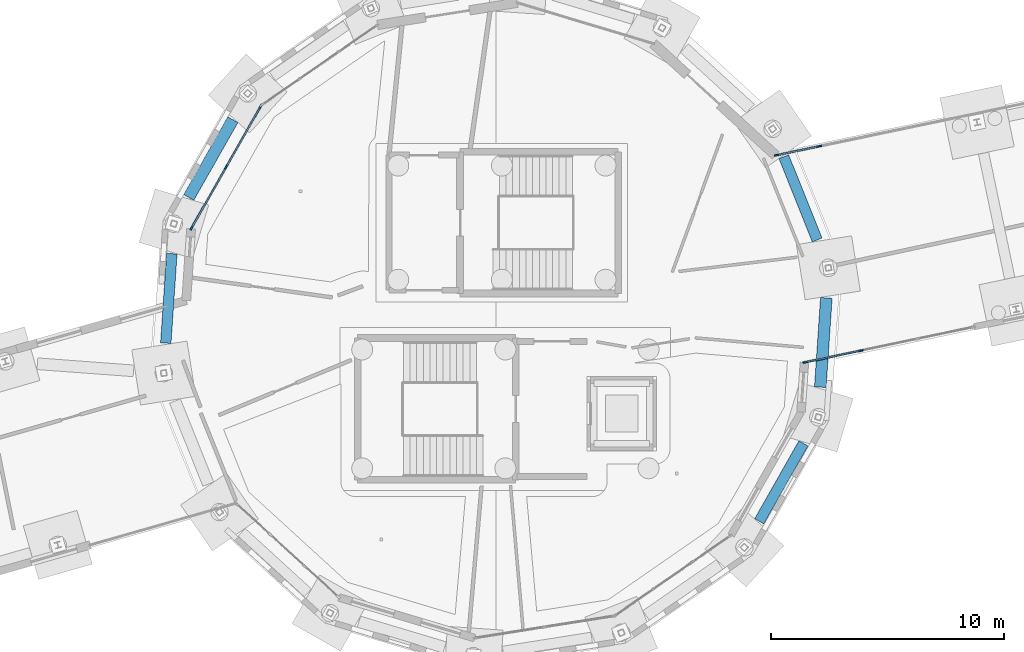
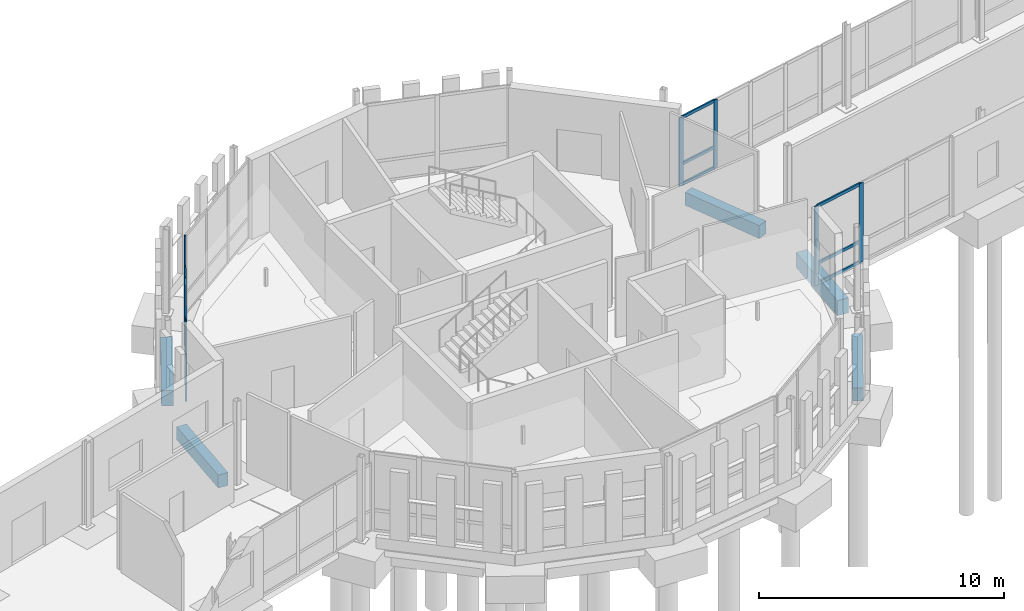
# One storey, part 47 of 113: 19 members, 5 beams, 3 elements without a shape of their own.
"""IFC4 building model written with IfcOpenShell, lengths in metres."""

from ifc_helpers import new_model, si_unit, direction, frame, origin, origin_2d, place, context, subcontext, project, spatial, rectangle, extrude, material, material_profile, profile_set, type_object, element, aggregate, save


model = new_model("IFC4")

# Units and contexts
model_context = context("Model", 3, precision=1e-05, world=origin(), true_north=direction((0.0, 1.0)))
body_context = subcontext(model_context, "Body", "Model", "MODEL_VIEW")
ifc_project = project(units=[si_unit("LENGTHUNIT", "METRE"), si_unit("AREAUNIT", "SQUARE_METRE"), si_unit("VOLUMEUNIT", "CUBIC_METRE"), si_unit("PLANEANGLEUNIT", "RADIAN"), si_unit("MASSUNIT", "GRAM", prefix="KILO")], contexts=[model_context])

# Site, building, storey
site_placement = place(None, origin())
site = spatial("IfcSite", under=ifc_project, at=site_placement, CompositionType="ELEMENT")
building_placement = place(site_placement, origin())
building = spatial("IfcBuilding", under=site, at=building_placement, Name="Wrenclough Park School", CompositionType="ELEMENT")
storey_placement = place(building_placement, origin())
storey = spatial("IfcBuildingStorey", under=building, at=storey_placement, Name="L00", CompositionType="ELEMENT", Elevation=0.0)

# Curtain wall, members
ifc_material_1 = material(Name="Thermally broken aluminium and low-e glass curtain wall", Category="aluminium")
curtain_wall_type_1 = type_object("IfcCurtainWallType", Name="ENV-CW-12", PredefinedType="USERDEFINED", material=ifc_material_1)
curtain_wall_1_placement = place(storey_placement, origin())
curtain_wall_1 = element("IfcCurtainWall", 1, at=curtain_wall_1_placement, inside=storey, type_object=curtain_wall_type_1, Name="L00 recessed curtain wall assembly 011", ObjectType="CURTAIN WALL", PredefinedType="USERDEFINED")
ifc_material_2 = material(Name="Thermally broken anodised aluminium", Category="aluminium")
ifc_material_profile_1 = material_profile(ifc_material_2, rectangle(XDim=0.070068359375, YDim=0.199951171875, at=origin_2d()), Name="AL MULLION 70x200")
ifc_profile_set_1 = profile_set([ifc_material_profile_1], Name="Thermally broken anodised aluminium")
member_type_1 = type_object("IfcMemberType", Name="ENV-CWM-3", PredefinedType="MULLION", material=ifc_profile_set_1)
member_1_placement = place(storey_placement, frame((69.920166015625, 112.46728515625, 0.0), z_axis=(0.0, 0.0, 1.0), x_axis=(-0.869745456163, 0.493500599274, 0.0)))
member_1 = element("IfcMember", 2, at=member_1_placement, type_object=member_type_1, Name="CW-12 mullion 1", PredefinedType="MULLION", context=body_context, shape_type="SweptSolid", body=[
    extrude(rectangle(XDim=0.070068359375, YDim=0.199951171875, at=origin_2d()), origin(), (0.0, 0.0, 1.0), 3.93994140625),
])
member_2_placement = place(storey_placement, frame((71.40283203125, 115.08056640625, 0.0), z_axis=(0.0, 0.0, 1.0), x_axis=(-0.869745456163, 0.493500599274, 0.0)))
member_2 = element("IfcMember", 3, at=member_2_placement, type_object=member_type_1, Name="CW-12 mullion 2", PredefinedType="MULLION", context=body_context, shape_type="SweptSolid", body=[
    extrude(rectangle(XDim=0.070068359375, YDim=0.199951171875, at=origin_2d()), origin(), (0.0, 0.0, 1.0), 3.93994140625),
])
member_3_placement = place(storey_placement, frame((72.8857421875, 117.693603515625, 0.0), z_axis=(0.0, 0.0, 1.0), x_axis=(-0.869745456163, 0.493500599274, 0.0)))
member_3 = element("IfcMember", 4, at=member_3_placement, type_object=member_type_1, Name="CW-12 mullion 3", PredefinedType="MULLION", context=body_context, shape_type="SweptSolid", body=[
    extrude(rectangle(XDim=0.070068359375, YDim=0.199951171875, at=origin_2d()), origin(), (0.0, 0.0, 1.0), 3.93994140625),
])

curtain_wall_type_2 = type_object("IfcCurtainWallType", Name="ENV-CW-15", PredefinedType="USERDEFINED", material=ifc_material_1)
curtain_wall_2_placement = place(storey_placement, origin())
curtain_wall_2 = element("IfcCurtainWall", 5, at=curtain_wall_2_placement, inside=storey, type_object=curtain_wall_type_2, Name="L00 recessed curtain wall assembly 014", ObjectType="CURTAIN WALL", PredefinedType="USERDEFINED")
member_4_placement = place(storey_placement, frame((95.044921875, 115.59814453125, 0.0), z_axis=(0.0, 0.0, 1.0), x_axis=(-0.204871023923, 0.978788978052, 0.0)))
member_4 = element("IfcMember", 6, at=member_4_placement, type_object=member_type_1, Name="CW-15 mullion 1", PredefinedType="MULLION", context=body_context, shape_type="SweptSolid", body=[
    extrude(rectangle(XDim=0.070068359375, YDim=0.199951171875, at=origin_2d()), origin(), (0.0, 0.0, 1.0), 3.39892578125),
])
member_5_placement = place(storey_placement, frame((96.881103515625, 115.982421875, 0.0), z_axis=(0.0, 0.0, 1.0), x_axis=(-0.204871023923, 0.978788978052, 0.0)))
member_5 = element("IfcMember", 7, at=member_5_placement, type_object=member_type_1, Name="CW-15 mullion 2", PredefinedType="MULLION", context=body_context, shape_type="SweptSolid", body=[
    extrude(rectangle(XDim=0.070068359375, YDim=0.199951171875, at=origin_2d()), origin(), (0.0, 0.0, 1.0), 3.39892578125),
])

curtain_wall_type_3 = type_object("IfcCurtainWallType", Name="ENV-CW-02", PredefinedType="USERDEFINED", material=ifc_material_1)
curtain_wall_3_placement = place(storey_placement, origin())
curtain_wall_3 = element("IfcCurtainWall", 8, at=curtain_wall_3_placement, inside=storey, type_object=curtain_wall_type_3, Name="L00 recessed curtain wall assembly 065", ObjectType="CURTAIN WALL", PredefinedType="USERDEFINED")
member_6_placement = place(storey_placement, frame((98.673828125, 107.203369140625, 0.0), z_axis=(0.0, 0.0, 1.0), x_axis=(0.204873635602, -0.978788431396, 0.0)))
member_6 = element("IfcMember", 9, at=member_6_placement, type_object=member_type_1, Name="CW-02 mullion 3", PredefinedType="MULLION", context=body_context, shape_type="SweptSolid", body=[
    extrude(rectangle(XDim=0.070068359375, YDim=0.199951171875, at=origin_2d()), origin(), (0.0, 0.0, 1.0), 3.93994140625),
])
member_7_placement = place(storey_placement, frame((96.28076171875, 106.70263671875, 0.0), z_axis=(0.0, 0.0, 1.0), x_axis=(0.204873635602, -0.978788431396, 0.0)))
member_7 = element("IfcMember", 10, at=member_7_placement, type_object=member_type_1, Name="CW-02 mullion 4", PredefinedType="MULLION", context=body_context, shape_type="SweptSolid", body=[
    extrude(rectangle(XDim=0.070068359375, YDim=0.199951171875, at=origin_2d()), origin(), (0.0, 0.0, 1.0), 3.93994140625),
])

# Member
ifc_material_profile_2 = material_profile(ifc_material_2, rectangle(XDim=0.070068359375, YDim=0.14990234375, at=origin_2d()), Name="AL TRANSOM 70x150")
ifc_profile_set_2 = profile_set([ifc_material_profile_2], Name="Thermally broken anodised aluminium")
member_type_2 = type_object("IfcMemberType", Name="ENV-CWT-3", PredefinedType="USERDEFINED", material=ifc_profile_set_2)
member_8_placement = place(storey_placement, frame((69.9375, 112.497802734375, 0.034912109375), z_axis=(0.493520482201, 0.869734174129, 0.0), x_axis=(-0.869734174129, 0.493520482201, 0.0)))
member_8 = element("IfcMember", 11, at=member_8_placement, type_object=member_type_2, Name="CW-12 transom 1.1", ObjectType="TRANSOM", PredefinedType="USERDEFINED", context=body_context, shape_type="SweptSolid", body=[
    extrude(rectangle(XDim=0.070068359375, YDim=0.14990234375, at=origin_2d()), origin(), (0.0, 0.0, 1.0), 2.9345703125),
])

member_9_placement = place(storey_placement, frame((69.9375, 112.497802734375, 1.050048828125), z_axis=(0.493520482201, 0.869734174129, 0.0), x_axis=(-0.869734174129, 0.493520482201, 0.0)))
member_9 = element("IfcMember", 12, at=member_9_placement, type_object=member_type_2, Name="CW-12 transom 1.2", ObjectType="TRANSOM", PredefinedType="USERDEFINED", context=body_context, shape_type="SweptSolid", body=[
    extrude(rectangle(XDim=0.070068359375, YDim=0.14990234375, at=origin_2d()), origin(), (0.0, 0.0, 1.0), 2.9345703125),
])

member_10_placement = place(storey_placement, frame((69.9375, 112.497802734375, 3.905029296875), z_axis=(0.493520482201, 0.869734174129, 0.0), x_axis=(-0.869734174129, 0.493520482201, 0.0)))
member_10 = element("IfcMember", 13, at=member_10_placement, type_object=member_type_2, Name="CW-12 transom 1.3", ObjectType="TRANSOM", PredefinedType="USERDEFINED", context=body_context, shape_type="SweptSolid", body=[
    extrude(rectangle(XDim=0.070068359375, YDim=0.14990234375, at=origin_2d()), origin(), (0.0, 0.0, 1.0), 2.9345703125),
])

member_11_placement = place(storey_placement, frame((71.420166015625, 115.11083984375, 0.034912109375), z_axis=(0.493484773884, 0.869754435427, 0.0), x_axis=(-0.869754435427, 0.493484773884, 0.0)))
member_11 = element("IfcMember", 14, at=member_11_placement, type_object=member_type_2, Name="CW-12 transom 2.1", ObjectType="TRANSOM", PredefinedType="USERDEFINED", context=body_context, shape_type="SweptSolid", body=[
    extrude(rectangle(XDim=0.070068359375, YDim=0.14990234375, at=origin_2d()), origin(), (0.0, 0.0, 1.0), 2.934814453125),
])

member_12_placement = place(storey_placement, frame((71.420166015625, 115.11083984375, 1.050048828125), z_axis=(0.493484773884, 0.869754435427, 0.0), x_axis=(-0.869754435427, 0.493484773884, 0.0)))
member_12 = element("IfcMember", 15, at=member_12_placement, type_object=member_type_2, Name="CW-12 transom 2.2", ObjectType="TRANSOM", PredefinedType="USERDEFINED", context=body_context, shape_type="SweptSolid", body=[
    extrude(rectangle(XDim=0.070068359375, YDim=0.14990234375, at=origin_2d()), origin(), (0.0, 0.0, 1.0), 2.934814453125),
])

member_13_placement = place(storey_placement, frame((71.420166015625, 115.11083984375, 3.905029296875), z_axis=(0.493484773884, 0.869754435427, 0.0), x_axis=(-0.869754435427, 0.493484773884, 0.0)))
member_13 = element("IfcMember", 16, at=member_13_placement, type_object=member_type_2, Name="CW-12 transom 2.3", ObjectType="TRANSOM", PredefinedType="USERDEFINED", context=body_context, shape_type="SweptSolid", body=[
    extrude(rectangle(XDim=0.070068359375, YDim=0.14990234375, at=origin_2d()), origin(), (0.0, 0.0, 1.0), 2.934814453125),
])

aggregate(curtain_wall_1, [member_1, member_2, member_3, member_8, member_9, member_10, member_11, member_12, member_13])

member_14_placement = place(storey_placement, frame((95.0791015625, 115.605224609375, 0.034912109375), z_axis=(0.978772969916, 0.204947489281, 0.0), x_axis=(-0.204947489281, 0.978772969916, 0.0)))
member_14 = element("IfcMember", 17, at=member_14_placement, type_object=member_type_2, Name="CW-15 transom 1.1", ObjectType="TRANSOM", PredefinedType="USERDEFINED", context=body_context, shape_type="SweptSolid", body=[
    extrude(rectangle(XDim=0.070068359375, YDim=0.14990234375, at=origin_2d()), origin(), (0.0, 0.0, 1.0), 1.805908203125),
])

member_15_placement = place(storey_placement, frame((95.0791015625, 115.605224609375, 1.050048828125), z_axis=(0.978772969916, 0.204947489281, 0.0), x_axis=(-0.204947489281, 0.978772969916, 0.0)))
member_15 = element("IfcMember", 18, at=member_15_placement, type_object=member_type_2, Name="CW-15 transom 1.2", ObjectType="TRANSOM", PredefinedType="USERDEFINED", context=body_context, shape_type="SweptSolid", body=[
    extrude(rectangle(XDim=0.070068359375, YDim=0.14990234375, at=origin_2d()), origin(), (0.0, 0.0, 1.0), 1.805908203125),
])

member_16_placement = place(storey_placement, frame((95.0791015625, 115.605224609375, 3.364013671875), z_axis=(0.978772969916, 0.204947489281, 0.0), x_axis=(-0.204947489281, 0.978772969916, 0.0)))
member_16 = element("IfcMember", 19, at=member_16_placement, type_object=member_type_2, Name="CW-15 transom 1.3", ObjectType="TRANSOM", PredefinedType="USERDEFINED", context=body_context, shape_type="SweptSolid", body=[
    extrude(rectangle(XDim=0.070068359375, YDim=0.14990234375, at=origin_2d()), origin(), (0.0, 0.0, 1.0), 1.805908203125),
])

aggregate(curtain_wall_2, [member_4, member_5, member_14, member_15, member_16])

member_17_placement = place(storey_placement, frame((98.6396484375, 107.1962890625, 0.034912109375), z_axis=(-0.978790145907, -0.204865444318, 0.0), x_axis=(0.204865444318, -0.978790145907, 0.0)))
member_17 = element("IfcMember", 20, at=member_17_placement, type_object=member_type_2, Name="CW-02 transom 3.1", ObjectType="TRANSOM", PredefinedType="USERDEFINED", context=body_context, shape_type="SweptSolid", body=[
    extrude(rectangle(XDim=0.070068359375, YDim=0.14990234375, at=origin_2d()), origin(), (0.0, 0.0, 1.0), 2.375),
])

member_18_placement = place(storey_placement, frame((98.6396484375, 107.1962890625, 1.050048828125), z_axis=(-0.978790145907, -0.204865444318, 0.0), x_axis=(0.204865444318, -0.978790145907, 0.0)))
member_18 = element("IfcMember", 21, at=member_18_placement, type_object=member_type_2, Name="CW-02 transom 3.2", ObjectType="TRANSOM", PredefinedType="USERDEFINED", context=body_context, shape_type="SweptSolid", body=[
    extrude(rectangle(XDim=0.070068359375, YDim=0.14990234375, at=origin_2d()), origin(), (0.0, 0.0, 1.0), 2.375),
])

member_19_placement = place(storey_placement, frame((98.6396484375, 107.1962890625, 3.905029296875), z_axis=(-0.978790145907, -0.204865444318, 0.0), x_axis=(0.204865444318, -0.978790145907, 0.0)))
member_19 = element("IfcMember", 22, at=member_19_placement, type_object=member_type_2, Name="CW-02 transom 3.3", ObjectType="TRANSOM", PredefinedType="USERDEFINED", context=body_context, shape_type="SweptSolid", body=[
    extrude(rectangle(XDim=0.070068359375, YDim=0.14990234375, at=origin_2d()), origin(), (0.0, 0.0, 1.0), 2.375),
])

aggregate(curtain_wall_3, [member_6, member_7, member_17, member_18, member_19])

# Beams
ifc_material_3 = material(Name="Concrete C35/45", Category="concrete")
ifc_material_profile_3 = material_profile(ifc_material_3, rectangle(XDim=0.449951171875, YDim=0.64990234375, at=origin_2d()), Name="RC GROUND 450x650")
ifc_profile_set_3 = profile_set([ifc_material_profile_3], Name="Concrete C35/45")
beam_type_1 = type_object("IfcBeamType", Name="STR-BM-GTB1", PredefinedType="USERDEFINED", material=ifc_profile_set_3)
for number, where, z_axis, x_axis, name in (
    (23, (96.79150390625, 111.958740234375, -0.625), (-0.372276353602, 0.928121929785, 0.0), (-0.928121929785, -0.372276353602, 0.0), "Reinforced concrete ground tie beam 075"),
    (24, (69.07373046875, 111.36767578125, -0.625), (-0.067302074909, -0.997732644907, 0.0), (0.997732644907, -0.067302074909, 0.0), "Reinforced concrete ground tie beam 081"),
    (25, (94.302978515625, 99.873779296875, -0.625), (0.493513450349, 0.869738164234, 0.0), (-0.869738164234, 0.493513450349, 0.0), "Reinforced concrete ground tie beam 087"),
):
    element("IfcBeam", number, at=place(storey_placement, frame(where, z_axis=z_axis, x_axis=x_axis)), inside=storey, type_object=beam_type_1, Name=name, ObjectType="GROUND TIE BEAM", PredefinedType="USERDEFINED", context=body_context, shape_type="SweptSolid", body=[
        extrude(rectangle(XDim=0.449951171875, YDim=0.64990234375, at=origin_2d()), origin(), (0.0, 0.0, 1.0), 3.848876953125),
    ])
ifc_material_profile_4 = material_profile(ifc_material_3, rectangle(XDim=0.5, YDim=0.75, at=origin_2d()), Name="RC GROUND 500x750")
ifc_profile_set_4 = profile_set([ifc_material_profile_4], Name="Concrete C35/45")
beam_type_2 = type_object("IfcBeamType", Name="STR-BM-GTB2", PredefinedType="USERDEFINED", material=ifc_profile_set_4)
beam_1_placement = place(storey_placement, frame((97.18505859375, 109.468505859375, -0.675048828125), z_axis=(-0.067312107677, -0.997731968096, 0.0), x_axis=(0.997731968096, -0.067312107677, 0.0)))
element("IfcBeam", 26, at=beam_1_placement, inside=storey, type_object=beam_type_2, Name="Reinforced concrete ground tie beam 074", ObjectType="GROUND TIE BEAM", PredefinedType="USERDEFINED", context=body_context, shape_type="SweptSolid", body=[
    extrude(rectangle(XDim=0.5, YDim=0.75, at=origin_2d()), origin(), (0.0, 0.0, 1.0), 3.841064453125),
])
beam_2_placement = place(storey_placement, frame((71.695068359375, 117.12255859375, -0.675048828125), z_axis=(-0.493535348148, -0.869725738454, 0.0), x_axis=(0.869725738454, -0.493535348148, 0.0)))
element("IfcBeam", 27, at=beam_2_placement, inside=storey, type_object=beam_type_2, Name="Reinforced concrete ground tie beam 080", ObjectType="GROUND TIE BEAM", PredefinedType="USERDEFINED", context=body_context, shape_type="SweptSolid", body=[
    extrude(rectangle(XDim=0.5, YDim=0.75, at=origin_2d()), origin(), (0.0, 0.0, 1.0), 3.840576171875),
])

save(model, "model.ifc")
